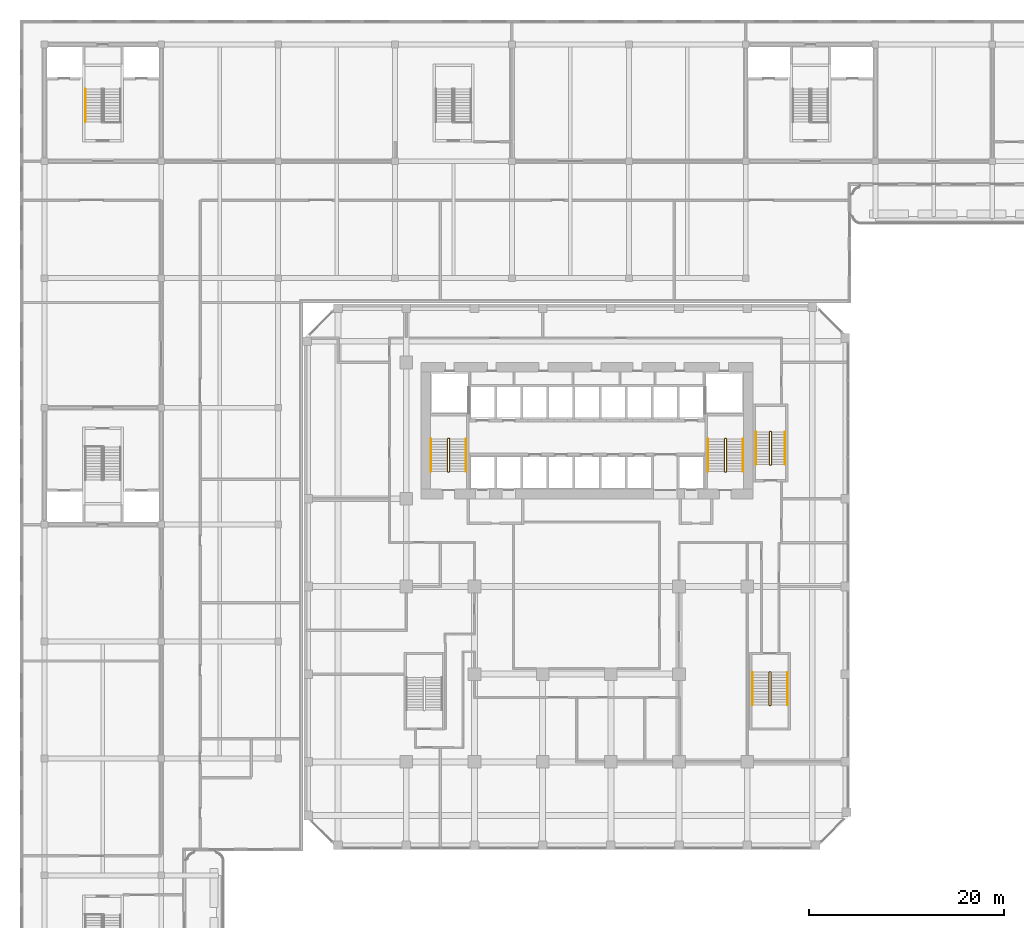
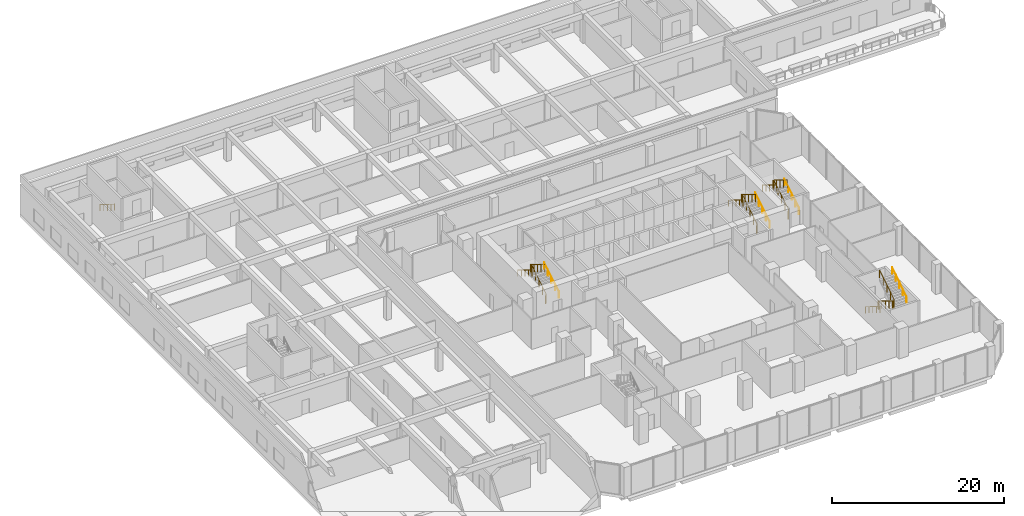
# One storey, part 30 of 35: 13 railings.
"""IFC4 building model written with IfcOpenShell, lengths in metres."""

from ifc_helpers import new_model, si_unit, direction, frame, origin, origin_2d, place, context, subcontext, project, spatial, circle, extrude, material, type_object, element, save


model = new_model("IFC4")

# Units and contexts
model_context = context("Model", 3, precision=1e-05, world=origin(), true_north=direction((0.0, 1.0)))
body_context = subcontext(model_context, "Body", "Model", "MODEL_VIEW")
ifc_project = project(units=[si_unit("LENGTHUNIT", "METRE"), si_unit("AREAUNIT", "SQUARE_METRE"), si_unit("VOLUMEUNIT", "CUBIC_METRE"), si_unit("PLANEANGLEUNIT", "RADIAN"), si_unit("MASSUNIT", "GRAM", prefix="KILO")], contexts=[model_context])

# Site, building, storey
site_placement = place(None, origin())
site = spatial("IfcSite", under=ifc_project, at=site_placement, CompositionType="ELEMENT")
building_placement = place(site_placement, origin())
building = spatial("IfcBuilding", under=site, at=building_placement, Name="Kilnfold Tower and Market Hall", CompositionType="ELEMENT")
storey_placement = place(building_placement, frame((0.0, 0.0, 22.5)))
storey = spatial("IfcBuildingStorey", under=building, at=storey_placement, Name="L04", CompositionType="ELEMENT", Elevation=22.5)

# Railings
ifc_material_1 = material(Name="Stainless steel 316", Category="steel")
railing_type_1 = type_object("IfcRailingType", Name="CORE STAIR GUARD 1100", PredefinedType="GUARDRAIL", material=ifc_material_1)
railing_1_placement = place(storey_placement, frame((-13.199951171875, 10.75, 0.0)))
element("IfcRailing", 1, at=railing_1_placement, inside=storey, type_object=railing_type_1, Name="L04 ST1 stair guard 1", PredefinedType="GUARDRAIL", context=body_context, shape_type="SweptSolid", body=[
    extrude(circle(Radius=0.02392578125, at=origin_2d()), frame((0.0, 0.0, 1.076171875), z_axis=(1.0, 0.0, 0.0), x_axis=(0.0, 1.0, 0.0)), (0.0, 0.0, 1.0), 0.099853515625),
    extrude(circle(Radius=0.02392578125, at=origin_2d()), frame((0.099853515625, 0.0, 1.076171875), z_axis=(0.267629722418, 0.267629722418, 0.925607186314), x_axis=(-0.707106781187, 0.707106781187, 0.0)), (0.0, 0.0, 1.0), 0.18701171875),
    extrude(circle(Radius=0.02392578125, at=origin_2d()), frame((0.14990234375, 0.050048828125, 1.2490234375), z_axis=(0.0, 0.850606129759, 0.525803396734), x_axis=(-1.0, 0.0, 0.0)), (0.0, 0.0, 1.0), 3.949951171875),
    extrude(circle(Radius=0.02392578125, at=origin_2d()), frame((0.14990234375, 3.409912109375, 3.326171875), z_axis=(-0.707106781187, 0.707106781187, 0.0), x_axis=(-0.707106781187, -0.707106781187, 0.0)), (0.0, 0.0, 1.0), 0.07080078125),
    extrude(circle(Radius=0.02392578125, at=origin_2d()), frame((0.099853515625, 3.4599609375, 3.326171875), z_axis=(-1.0, 0.0, 0.0), x_axis=(0.0, -1.0, 0.0)), (0.0, 0.0, 1.0), 0.099853515625),
    extrude(circle(Radius=0.02392578125, at=origin_2d()), frame((0.0, 3.4599609375, 3.326171875), z_axis=(-0.267629722418, -0.267629722418, 0.925607186314), x_axis=(0.707106781187, -0.707106781187, 0.0)), (0.0, 0.0, 1.0), 0.18701171875),
    extrude(circle(Radius=0.02392578125, at=origin_2d()), frame((-0.050048828125, 3.409912109375, 3.4990234375), z_axis=(0.0, -0.850606129759, 0.525803396734), x_axis=(1.0, 0.0, 0.0)), (0.0, 0.0, 1.0), 3.949951171875),
    extrude(circle(Radius=0.02099609375, at=origin_2d()), origin(), (0.0, 0.0, 1.0), 1.052001953125),
    extrude(circle(Radius=0.02099609375, at=origin_2d()), frame((0.099853515625, 0.0, 0.0)), (0.0, 0.0, 1.0), 1.052001953125),
    extrude(circle(Radius=0.02099609375, at=origin_2d()), frame((0.14990234375, 0.050048828125, 0.173095703125)), (0.0, 0.0, 1.0), 1.052001953125),
    extrude(circle(Radius=0.02099609375, at=origin_2d()), frame((0.14990234375, 0.89013671875, 0.6923828125)), (0.0, 0.0, 1.0), 1.052001953125),
    extrude(circle(Radius=0.02099609375, at=origin_2d()), frame((0.14990234375, 1.72998046875, 1.21142578125)), (0.0, 0.0, 1.0), 1.052001953125),
    extrude(circle(Radius=0.02099609375, at=origin_2d()), frame((0.14990234375, 2.56982421875, 1.730712890625)), (0.0, 0.0, 1.0), 1.052001953125),
    extrude(circle(Radius=0.02099609375, at=origin_2d()), frame((0.14990234375, 3.409912109375, 2.25)), (0.0, 0.0, 1.0), 1.052001953125),
    extrude(circle(Radius=0.02099609375, at=origin_2d()), frame((0.099853515625, 3.4599609375, 2.25)), (0.0, 0.0, 1.0), 1.052001953125),
    extrude(circle(Radius=0.02099609375, at=origin_2d()), frame((0.0, 3.4599609375, 2.25)), (0.0, 0.0, 1.0), 1.052001953125),
    extrude(circle(Radius=0.02099609375, at=origin_2d()), frame((-0.050048828125, 3.409912109375, 2.423095703125)), (0.0, 0.0, 1.0), 1.052001953125),
    extrude(circle(Radius=0.02099609375, at=origin_2d()), frame((-0.050048828125, 2.56982421875, 2.9423828125)), (0.0, 0.0, 1.0), 1.052001953125),
    extrude(circle(Radius=0.02099609375, at=origin_2d()), frame((-0.050048828125, 1.72998046875, 3.46142578125)), (0.0, 0.0, 1.0), 1.052001953125),
    extrude(circle(Radius=0.02099609375, at=origin_2d()), frame((-0.050048828125, 0.89013671875, 3.980712890625)), (0.0, 0.0, 1.0), 1.052001953125),
    extrude(circle(Radius=0.02099609375, at=origin_2d()), frame((-0.050048828125, 0.050048828125, 4.5)), (0.0, 0.0, 1.0), 1.052001953125),
])
railing_2_placement = place(storey_placement, frame((15.199951171875, 10.75, 0.0)))
element("IfcRailing", 2, at=railing_2_placement, inside=storey, type_object=railing_type_1, Name="L04 ST2 stair guard 1", PredefinedType="GUARDRAIL", context=body_context, shape_type="SweptSolid", body=[
    extrude(circle(Radius=0.02392578125, at=origin_2d()), frame((0.0, 0.0, 1.076171875), z_axis=(1.0, 0.0, 0.0), x_axis=(0.0, 1.0, 0.0)), (0.0, 0.0, 1.0), 0.10009765625),
    extrude(circle(Radius=0.02392578125, at=origin_2d()), frame((0.10009765625, 0.0, 1.076171875), z_axis=(0.267629722418, 0.267629722418, 0.925607186314), x_axis=(-0.707106781187, 0.707106781187, 0.0)), (0.0, 0.0, 1.0), 0.18701171875),
    extrude(circle(Radius=0.02392578125, at=origin_2d()), frame((0.150146484375, 0.050048828125, 1.2490234375), z_axis=(0.0, 0.850606129759, 0.525803396734), x_axis=(-1.0, 0.0, 0.0)), (0.0, 0.0, 1.0), 3.949951171875),
    extrude(circle(Radius=0.02392578125, at=origin_2d()), frame((0.150146484375, 3.409912109375, 3.326171875), z_axis=(-0.707106781187, 0.707106781187, 0.0), x_axis=(-0.707106781187, -0.707106781187, 0.0)), (0.0, 0.0, 1.0), 0.07080078125),
    extrude(circle(Radius=0.02392578125, at=origin_2d()), frame((0.10009765625, 3.4599609375, 3.326171875), z_axis=(-1.0, 0.0, 0.0), x_axis=(0.0, -1.0, 0.0)), (0.0, 0.0, 1.0), 0.10009765625),
    extrude(circle(Radius=0.02392578125, at=origin_2d()), frame((0.0, 3.4599609375, 3.326171875), z_axis=(-0.267629722418, -0.267629722418, 0.925607186314), x_axis=(0.707106781187, -0.707106781187, 0.0)), (0.0, 0.0, 1.0), 0.18701171875),
    extrude(circle(Radius=0.02392578125, at=origin_2d()), frame((-0.050048828125, 3.409912109375, 3.4990234375), z_axis=(0.0, -0.850606129759, 0.525803396734), x_axis=(1.0, 0.0, 0.0)), (0.0, 0.0, 1.0), 3.949951171875),
    extrude(circle(Radius=0.02099609375, at=origin_2d()), origin(), (0.0, 0.0, 1.0), 1.052001953125),
    extrude(circle(Radius=0.02099609375, at=origin_2d()), frame((0.10009765625, 0.0, 0.0)), (0.0, 0.0, 1.0), 1.052001953125),
    extrude(circle(Radius=0.02099609375, at=origin_2d()), frame((0.150146484375, 0.050048828125, 0.173095703125)), (0.0, 0.0, 1.0), 1.052001953125),
    extrude(circle(Radius=0.02099609375, at=origin_2d()), frame((0.150146484375, 0.89013671875, 0.6923828125)), (0.0, 0.0, 1.0), 1.052001953125),
    extrude(circle(Radius=0.02099609375, at=origin_2d()), frame((0.150146484375, 1.72998046875, 1.21142578125)), (0.0, 0.0, 1.0), 1.052001953125),
    extrude(circle(Radius=0.02099609375, at=origin_2d()), frame((0.150146484375, 2.56982421875, 1.730712890625)), (0.0, 0.0, 1.0), 1.052001953125),
    extrude(circle(Radius=0.02099609375, at=origin_2d()), frame((0.150146484375, 3.409912109375, 2.25)), (0.0, 0.0, 1.0), 1.052001953125),
    extrude(circle(Radius=0.02099609375, at=origin_2d()), frame((0.10009765625, 3.4599609375, 2.25)), (0.0, 0.0, 1.0), 1.052001953125),
    extrude(circle(Radius=0.02099609375, at=origin_2d()), frame((0.0, 3.4599609375, 2.25)), (0.0, 0.0, 1.0), 1.052001953125),
    extrude(circle(Radius=0.02099609375, at=origin_2d()), frame((-0.050048828125, 3.409912109375, 2.423095703125)), (0.0, 0.0, 1.0), 1.052001953125),
    extrude(circle(Radius=0.02099609375, at=origin_2d()), frame((-0.050048828125, 2.56982421875, 2.9423828125)), (0.0, 0.0, 1.0), 1.052001953125),
    extrude(circle(Radius=0.02099609375, at=origin_2d()), frame((-0.050048828125, 1.72998046875, 3.46142578125)), (0.0, 0.0, 1.0), 1.052001953125),
    extrude(circle(Radius=0.02099609375, at=origin_2d()), frame((-0.050048828125, 0.89013671875, 3.980712890625)), (0.0, 0.0, 1.0), 1.052001953125),
    extrude(circle(Radius=0.02099609375, at=origin_2d()), frame((-0.050048828125, 0.050048828125, 4.5)), (0.0, 0.0, 1.0), 1.052001953125),
])
railing_3_placement = place(storey_placement, frame((19.89990234375, -9.75, 0.0)))
element("IfcRailing", 3, at=railing_3_placement, inside=storey, type_object=railing_type_1, Name="L04 ST4 stair guard 1", PredefinedType="GUARDRAIL", context=body_context, shape_type="SweptSolid", body=[
    extrude(circle(Radius=0.02392578125, at=origin_2d()), frame((0.0, 0.0, 1.076171875), z_axis=(-1.0, 0.0, 0.0), x_axis=(0.0, -1.0, 0.0)), (0.0, 0.0, 1.0), 0.099853515625),
    extrude(circle(Radius=0.02392578125, at=origin_2d()), frame((-0.099853515625, 0.0, 1.076171875), z_axis=(-0.267629722418, -0.267629722418, 0.925607186314), x_axis=(0.707106781187, -0.707106781187, 0.0)), (0.0, 0.0, 1.0), 0.18701171875),
    extrude(circle(Radius=0.02392578125, at=origin_2d()), frame((-0.14990234375, -0.050048828125, 1.2490234375), z_axis=(0.0, -0.850606129759, 0.525803396734), x_axis=(1.0, 0.0, 0.0)), (0.0, 0.0, 1.0), 3.949951171875),
    extrude(circle(Radius=0.02392578125, at=origin_2d()), frame((-0.14990234375, -3.409912109375, 3.326171875), z_axis=(0.707106781187, -0.707106781187, 0.0), x_axis=(0.707106781187, 0.707106781187, 0.0)), (0.0, 0.0, 1.0), 0.07080078125),
    extrude(circle(Radius=0.02392578125, at=origin_2d()), frame((-0.099853515625, -3.4599609375, 3.326171875), z_axis=(1.0, 0.0, 0.0), x_axis=(0.0, 1.0, 0.0)), (0.0, 0.0, 1.0), 0.099853515625),
    extrude(circle(Radius=0.02392578125, at=origin_2d()), frame((0.0, -3.4599609375, 3.326171875), z_axis=(0.267629722418, 0.267629722418, 0.925607186314), x_axis=(-0.707106781187, 0.707106781187, 0.0)), (0.0, 0.0, 1.0), 0.18701171875),
    extrude(circle(Radius=0.02392578125, at=origin_2d()), frame((0.050048828125, -3.409912109375, 3.4990234375), z_axis=(0.0, 0.850606129759, 0.525803396734), x_axis=(-1.0, 0.0, 0.0)), (0.0, 0.0, 1.0), 3.949951171875),
    extrude(circle(Radius=0.02099609375, at=origin_2d()), origin(), (0.0, 0.0, 1.0), 1.052001953125),
    extrude(circle(Radius=0.02099609375, at=origin_2d()), frame((-0.099853515625, 0.0, 0.0)), (0.0, 0.0, 1.0), 1.052001953125),
    extrude(circle(Radius=0.02099609375, at=origin_2d()), frame((-0.14990234375, -0.050048828125, 0.173095703125)), (0.0, 0.0, 1.0), 1.052001953125),
    extrude(circle(Radius=0.02099609375, at=origin_2d()), frame((-0.14990234375, -0.89013671875, 0.6923828125)), (0.0, 0.0, 1.0), 1.052001953125),
    extrude(circle(Radius=0.02099609375, at=origin_2d()), frame((-0.14990234375, -1.72998046875, 1.21142578125)), (0.0, 0.0, 1.0), 1.052001953125),
    extrude(circle(Radius=0.02099609375, at=origin_2d()), frame((-0.14990234375, -2.56982421875, 1.730712890625)), (0.0, 0.0, 1.0), 1.052001953125),
    extrude(circle(Radius=0.02099609375, at=origin_2d()), frame((-0.14990234375, -3.409912109375, 2.25)), (0.0, 0.0, 1.0), 1.052001953125),
    extrude(circle(Radius=0.02099609375, at=origin_2d()), frame((-0.099853515625, -3.4599609375, 2.25)), (0.0, 0.0, 1.0), 1.052001953125),
    extrude(circle(Radius=0.02099609375, at=origin_2d()), frame((0.0, -3.4599609375, 2.25)), (0.0, 0.0, 1.0), 1.052001953125),
    extrude(circle(Radius=0.02099609375, at=origin_2d()), frame((0.050048828125, -3.409912109375, 2.423095703125)), (0.0, 0.0, 1.0), 1.052001953125),
    extrude(circle(Radius=0.02099609375, at=origin_2d()), frame((0.050048828125, -2.56982421875, 2.9423828125)), (0.0, 0.0, 1.0), 1.052001953125),
    extrude(circle(Radius=0.02099609375, at=origin_2d()), frame((0.050048828125, -1.72998046875, 3.46142578125)), (0.0, 0.0, 1.0), 1.052001953125),
    extrude(circle(Radius=0.02099609375, at=origin_2d()), frame((0.050048828125, -0.89013671875, 3.980712890625)), (0.0, 0.0, 1.0), 1.052001953125),
    extrude(circle(Radius=0.02099609375, at=origin_2d()), frame((0.050048828125, -0.050048828125, 4.5)), (0.0, 0.0, 1.0), 1.052001953125),
])
railing_4_placement = place(storey_placement, frame((19.85009765625, 11.449951171875, 0.0)))
element("IfcRailing", 4, at=railing_4_placement, inside=storey, type_object=railing_type_1, Name="L04 ST5 stair guard 1", PredefinedType="GUARDRAIL", context=body_context, shape_type="SweptSolid", body=[
    extrude(circle(Radius=0.02392578125, at=origin_2d()), frame((0.0, 0.0, 1.076171875), z_axis=(1.0, 0.0, 0.0), x_axis=(0.0, 1.0, 0.0)), (0.0, 0.0, 1.0), 0.099853515625),
    extrude(circle(Radius=0.02392578125, at=origin_2d()), frame((0.099853515625, 0.0, 1.076171875), z_axis=(0.267629722418, 0.267629722418, 0.925607186314), x_axis=(-0.707106781187, 0.707106781187, 0.0)), (0.0, 0.0, 1.0), 0.18701171875),
    extrude(circle(Radius=0.02392578125, at=origin_2d()), frame((0.14990234375, 0.050048828125, 1.2490234375), z_axis=(0.0, 0.850623216509, 0.525775754039), x_axis=(-1.0, 0.0, 0.0)), (0.0, 0.0, 1.0), 3.9501953125),
    extrude(circle(Radius=0.02392578125, at=origin_2d()), frame((0.14990234375, 3.41015625, 3.326171875), z_axis=(-0.708833529934, 0.705375805398, 0.0), x_axis=(-0.705375805398, -0.708833529934, 0.0)), (0.0, 0.0, 1.0), 0.070556640625),
    extrude(circle(Radius=0.02392578125, at=origin_2d()), frame((0.099853515625, 3.4599609375, 3.326171875), z_axis=(-1.0, 0.0, 0.0), x_axis=(0.0, -1.0, 0.0)), (0.0, 0.0, 1.0), 0.099853515625),
    extrude(circle(Radius=0.02392578125, at=origin_2d()), frame((0.0, 3.4599609375, 3.326171875), z_axis=(-0.267723051232, -0.266417085129, 0.925929967433), x_axis=(0.705375805398, -0.708833529934, 0.0)), (0.0, 0.0, 1.0), 0.18701171875),
    extrude(circle(Radius=0.02392578125, at=origin_2d()), frame((-0.050048828125, 3.41015625, 3.4990234375), z_axis=(0.0, -0.850623216509, 0.525775754039), x_axis=(1.0, 0.0, 0.0)), (0.0, 0.0, 1.0), 3.9501953125),
    extrude(circle(Radius=0.02099609375, at=origin_2d()), origin(), (0.0, 0.0, 1.0), 1.052001953125),
    extrude(circle(Radius=0.02099609375, at=origin_2d()), frame((0.099853515625, 0.0, 0.0)), (0.0, 0.0, 1.0), 1.052001953125),
    extrude(circle(Radius=0.02099609375, at=origin_2d()), frame((0.14990234375, 0.050048828125, 0.173095703125)), (0.0, 0.0, 1.0), 1.052001953125),
    extrude(circle(Radius=0.02099609375, at=origin_2d()), frame((0.14990234375, 0.89013671875, 0.6923828125)), (0.0, 0.0, 1.0), 1.052001953125),
    extrude(circle(Radius=0.02099609375, at=origin_2d()), frame((0.14990234375, 1.72998046875, 1.21142578125)), (0.0, 0.0, 1.0), 1.052001953125),
    extrude(circle(Radius=0.02099609375, at=origin_2d()), frame((0.14990234375, 2.570068359375, 1.730712890625)), (0.0, 0.0, 1.0), 1.052001953125),
    extrude(circle(Radius=0.02099609375, at=origin_2d()), frame((0.14990234375, 3.41015625, 2.25)), (0.0, 0.0, 1.0), 1.052001953125),
    extrude(circle(Radius=0.02099609375, at=origin_2d()), frame((0.099853515625, 3.4599609375, 2.25)), (0.0, 0.0, 1.0), 1.052001953125),
    extrude(circle(Radius=0.02099609375, at=origin_2d()), frame((0.0, 3.4599609375, 2.25)), (0.0, 0.0, 1.0), 1.052001953125),
    extrude(circle(Radius=0.02099609375, at=origin_2d()), frame((-0.050048828125, 3.41015625, 2.423095703125)), (0.0, 0.0, 1.0), 1.052001953125),
    extrude(circle(Radius=0.02099609375, at=origin_2d()), frame((-0.050048828125, 2.570068359375, 2.9423828125)), (0.0, 0.0, 1.0), 1.052001953125),
    extrude(circle(Radius=0.02099609375, at=origin_2d()), frame((-0.050048828125, 1.72998046875, 3.46142578125)), (0.0, 0.0, 1.0), 1.052001953125),
    extrude(circle(Radius=0.02099609375, at=origin_2d()), frame((-0.050048828125, 0.89013671875, 3.980712890625)), (0.0, 0.0, 1.0), 1.052001953125),
    extrude(circle(Radius=0.02099609375, at=origin_2d()), frame((-0.050048828125, 0.050048828125, 4.5)), (0.0, 0.0, 1.0), 1.052001953125),
])
ifc_material_2 = material(Name="Stainless steel 316", Category="steel")
railing_type_2 = type_object("IfcRailingType", Name="CORE STAIR HANDRAIL 900", PredefinedType="HANDRAIL", material=ifc_material_2)
railing_5_placement = place(storey_placement, frame((-11.35009765625, 10.800048828125, 0.173095703125)))
element("IfcRailing", 5, at=railing_5_placement, inside=storey, type_object=railing_type_2, Name="L04 ST1 stair handrail 1", PredefinedType="HANDRAIL", context=body_context, shape_type="SweptSolid", body=[
    extrude(circle(Radius=0.02392578125, at=origin_2d()), frame((0.0, 0.0, 0.8759765625), z_axis=(0.0, 0.850606129759, 0.525803396734), x_axis=(-1.0, 0.0, 0.0)), (0.0, 0.0, 1.0), 3.949951171875),
    extrude(circle(Radius=0.02099609375, at=origin_2d()), origin(), (0.0, 0.0, 1.0), 0.851806640625),
    extrude(circle(Radius=0.02099609375, at=origin_2d()), frame((0.0, 0.83984375, 0.519287109375)), (0.0, 0.0, 1.0), 0.851806640625),
    extrude(circle(Radius=0.02099609375, at=origin_2d()), frame((0.0, 1.679931640625, 1.03857421875)), (0.0, 0.0, 1.0), 0.851806640625),
    extrude(circle(Radius=0.02099609375, at=origin_2d()), frame((0.0, 2.52001953125, 1.5576171875)), (0.0, 0.0, 1.0), 0.851806640625),
    extrude(circle(Radius=0.02099609375, at=origin_2d()), frame((0.0, 3.35986328125, 2.076904296875)), (0.0, 0.0, 1.0), 0.851806640625),
])
railing_6_placement = place(storey_placement, frame((-14.949951171875, 14.159912109375, 2.423095703125)))
element("IfcRailing", 6, at=railing_6_placement, inside=storey, type_object=railing_type_2, Name="L04 ST1 stair handrail 2", PredefinedType="HANDRAIL", context=body_context, shape_type="SweptSolid", body=[
    extrude(circle(Radius=0.02392578125, at=origin_2d()), frame((0.0, 0.0, 0.8759765625), z_axis=(0.0, -0.850606129759, 0.525803396734), x_axis=(1.0, 0.0, 0.0)), (0.0, 0.0, 1.0), 3.949951171875),
    extrude(circle(Radius=0.02099609375, at=origin_2d()), origin(), (0.0, 0.0, 1.0), 0.851806640625),
    extrude(circle(Radius=0.02099609375, at=origin_2d()), frame((0.0, -0.83984375, 0.519287109375)), (0.0, 0.0, 1.0), 0.851806640625),
    extrude(circle(Radius=0.02099609375, at=origin_2d()), frame((0.0, -1.679931640625, 1.03857421875)), (0.0, 0.0, 1.0), 0.851806640625),
    extrude(circle(Radius=0.02099609375, at=origin_2d()), frame((0.0, -2.52001953125, 1.5576171875)), (0.0, 0.0, 1.0), 0.851806640625),
    extrude(circle(Radius=0.02099609375, at=origin_2d()), frame((0.0, -3.35986328125, 2.076904296875)), (0.0, 0.0, 1.0), 0.851806640625),
])
railing_7_placement = place(storey_placement, frame((17.050048828125, 10.800048828125, 0.173095703125)))
element("IfcRailing", 7, at=railing_7_placement, inside=storey, type_object=railing_type_2, Name="L04 ST2 stair handrail 1", PredefinedType="HANDRAIL", context=body_context, shape_type="SweptSolid", body=[
    extrude(circle(Radius=0.02392578125, at=origin_2d()), frame((0.0, 0.0, 0.8759765625), z_axis=(0.0, 0.850606129759, 0.525803396734), x_axis=(-1.0, 0.0, 0.0)), (0.0, 0.0, 1.0), 3.949951171875),
    extrude(circle(Radius=0.02099609375, at=origin_2d()), origin(), (0.0, 0.0, 1.0), 0.851806640625),
    extrude(circle(Radius=0.02099609375, at=origin_2d()), frame((0.0, 0.83984375, 0.519287109375)), (0.0, 0.0, 1.0), 0.851806640625),
    extrude(circle(Radius=0.02099609375, at=origin_2d()), frame((0.0, 1.679931640625, 1.03857421875)), (0.0, 0.0, 1.0), 0.851806640625),
    extrude(circle(Radius=0.02099609375, at=origin_2d()), frame((0.0, 2.52001953125, 1.5576171875)), (0.0, 0.0, 1.0), 0.851806640625),
    extrude(circle(Radius=0.02099609375, at=origin_2d()), frame((0.0, 3.35986328125, 2.076904296875)), (0.0, 0.0, 1.0), 0.851806640625),
])
for number, where, name in (
    (8, (13.449951171875, 14.159912109375, 2.423095703125), "L04 ST2 stair handrail 2"),
    (9, (18.050048828125, -9.800048828125, 0.173095703125), "L04 ST4 stair handrail 1"),
):
    element("IfcRailing", number, at=place(storey_placement, frame(where)), inside=storey, type_object=railing_type_2, Name=name, PredefinedType="HANDRAIL", context=body_context, shape_type="SweptSolid", body=[
        extrude(circle(Radius=0.02392578125, at=origin_2d()), frame((0.0, 0.0, 0.8759765625), z_axis=(0.0, -0.850606129759, 0.525803396734), x_axis=(1.0, 0.0, 0.0)), (0.0, 0.0, 1.0), 3.949951171875),
        extrude(circle(Radius=0.02099609375, at=origin_2d()), origin(), (0.0, 0.0, 1.0), 0.851806640625),
        extrude(circle(Radius=0.02099609375, at=origin_2d()), frame((0.0, -0.83984375, 0.519287109375)), (0.0, 0.0, 1.0), 0.851806640625),
        extrude(circle(Radius=0.02099609375, at=origin_2d()), frame((0.0, -1.679931640625, 1.03857421875)), (0.0, 0.0, 1.0), 0.851806640625),
        extrude(circle(Radius=0.02099609375, at=origin_2d()), frame((0.0, -2.52001953125, 1.5576171875)), (0.0, 0.0, 1.0), 0.851806640625),
        extrude(circle(Radius=0.02099609375, at=origin_2d()), frame((0.0, -3.35986328125, 2.076904296875)), (0.0, 0.0, 1.0), 0.851806640625),
    ])
railing_8_placement = place(storey_placement, frame((21.64990234375, -13.159912109375, 2.423095703125)))
element("IfcRailing", 10, at=railing_8_placement, inside=storey, type_object=railing_type_2, Name="L04 ST4 stair handrail 2", PredefinedType="HANDRAIL", context=body_context, shape_type="SweptSolid", body=[
    extrude(circle(Radius=0.02392578125, at=origin_2d()), frame((0.0, 0.0, 0.8759765625), z_axis=(0.0, 0.850606129759, 0.525803396734), x_axis=(-1.0, 0.0, 0.0)), (0.0, 0.0, 1.0), 3.949951171875),
    extrude(circle(Radius=0.02099609375, at=origin_2d()), origin(), (0.0, 0.0, 1.0), 0.851806640625),
    extrude(circle(Radius=0.02099609375, at=origin_2d()), frame((0.0, 0.83984375, 0.519287109375)), (0.0, 0.0, 1.0), 0.851806640625),
    extrude(circle(Radius=0.02099609375, at=origin_2d()), frame((0.0, 1.679931640625, 1.03857421875)), (0.0, 0.0, 1.0), 0.851806640625),
    extrude(circle(Radius=0.02099609375, at=origin_2d()), frame((0.0, 2.52001953125, 1.5576171875)), (0.0, 0.0, 1.0), 0.851806640625),
    extrude(circle(Radius=0.02099609375, at=origin_2d()), frame((0.0, 3.35986328125, 2.076904296875)), (0.0, 0.0, 1.0), 0.851806640625),
])
railing_9_placement = place(storey_placement, frame((21.39990234375, 11.5, 0.173095703125)))
element("IfcRailing", 11, at=railing_9_placement, inside=storey, type_object=railing_type_2, Name="L04 ST5 stair handrail 1", PredefinedType="HANDRAIL", context=body_context, shape_type="SweptSolid", body=[
    extrude(circle(Radius=0.02392578125, at=origin_2d()), frame((0.0, 0.0, 0.8759765625), z_axis=(0.0, 0.850623216509, 0.525775754039), x_axis=(-1.0, 0.0, 0.0)), (0.0, 0.0, 1.0), 3.9501953125),
    extrude(circle(Radius=0.02099609375, at=origin_2d()), origin(), (0.0, 0.0, 1.0), 0.851806640625),
    extrude(circle(Radius=0.02099609375, at=origin_2d()), frame((0.0, 0.840087890625, 0.519287109375)), (0.0, 0.0, 1.0), 0.851806640625),
    extrude(circle(Radius=0.02099609375, at=origin_2d()), frame((0.0, 1.68017578125, 1.03857421875)), (0.0, 0.0, 1.0), 0.851806640625),
    extrude(circle(Radius=0.02099609375, at=origin_2d()), frame((0.0, 2.52001953125, 1.5576171875)), (0.0, 0.0, 1.0), 0.851806640625),
    extrude(circle(Radius=0.02099609375, at=origin_2d()), frame((0.0, 3.360107421875, 2.076904296875)), (0.0, 0.0, 1.0), 0.851806640625),
])
railing_10_placement = place(storey_placement, frame((18.39990234375, 14.860107421875, 2.423095703125)))
element("IfcRailing", 12, at=railing_10_placement, inside=storey, type_object=railing_type_2, Name="L04 ST5 stair handrail 2", PredefinedType="HANDRAIL", context=body_context, shape_type="SweptSolid", body=[
    extrude(circle(Radius=0.02392578125, at=origin_2d()), frame((0.0, 0.0, 0.8759765625), z_axis=(0.0, -0.850623216509, 0.525775754039), x_axis=(1.0, 0.0, 0.0)), (0.0, 0.0, 1.0), 3.9501953125),
    extrude(circle(Radius=0.02099609375, at=origin_2d()), origin(), (0.0, 0.0, 1.0), 0.851806640625),
    extrude(circle(Radius=0.02099609375, at=origin_2d()), frame((0.0, -0.840087890625, 0.519287109375)), (0.0, 0.0, 1.0), 0.851806640625),
    extrude(circle(Radius=0.02099609375, at=origin_2d()), frame((0.0, -1.68017578125, 1.03857421875)), (0.0, 0.0, 1.0), 0.851806640625),
    extrude(circle(Radius=0.02099609375, at=origin_2d()), frame((0.0, -2.52001953125, 1.5576171875)), (0.0, 0.0, 1.0), 0.851806640625),
    extrude(circle(Radius=0.02099609375, at=origin_2d()), frame((0.0, -3.360107421875, 2.076904296875)), (0.0, 0.0, 1.0), 0.851806640625),
])
ifc_material_3 = material(Name="Steel S355", Category="steel")
railing_type_3 = type_object("IfcRailingType", Name="HALL STAIR HANDRAIL", PredefinedType="HANDRAIL", material=ifc_material_3)
railing_11_placement = place(storey_placement, frame((-50.449951171875, 50.06005859375, 2.423095703125)))
element("IfcRailing", 13, at=railing_11_placement, inside=storey, type_object=railing_type_3, Name="L04 MS3 stair handrail 2", PredefinedType="HANDRAIL", context=body_context, shape_type="SweptSolid", body=[
    extrude(circle(Radius=0.02392578125, at=origin_2d()), frame((0.0, 0.0, 0.8759765625), z_axis=(0.0, -0.850623216509, 0.525775754039), x_axis=(1.0, 0.0, 0.0)), (0.0, 0.0, 1.0), 3.9501953125),
    extrude(circle(Radius=0.02099609375, at=origin_2d()), origin(), (0.0, 0.0, 1.0), 0.851806640625),
    extrude(circle(Radius=0.02099609375, at=origin_2d()), frame((0.0, -0.840087890625, 0.519287109375)), (0.0, 0.0, 1.0), 0.851806640625),
    extrude(circle(Radius=0.02099609375, at=origin_2d()), frame((0.0, -1.68017578125, 1.03857421875)), (0.0, 0.0, 1.0), 0.851806640625),
    extrude(circle(Radius=0.02099609375, at=origin_2d()), frame((0.0, -2.52001953125, 1.5576171875)), (0.0, 0.0, 1.0), 0.851806640625),
    extrude(circle(Radius=0.02099609375, at=origin_2d()), frame((0.0, -3.360107421875, 2.076904296875)), (0.0, 0.0, 1.0), 0.851806640625),
])

save(model, "model.ifc")
